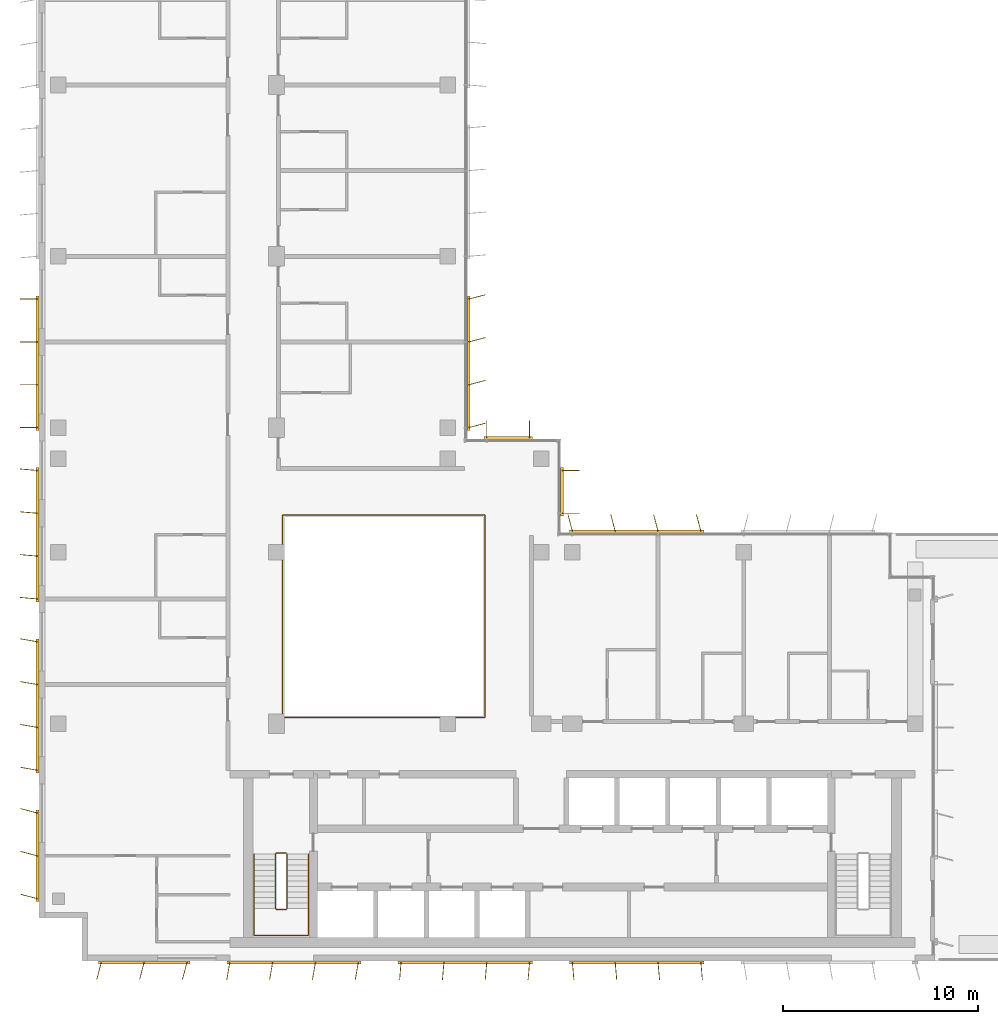
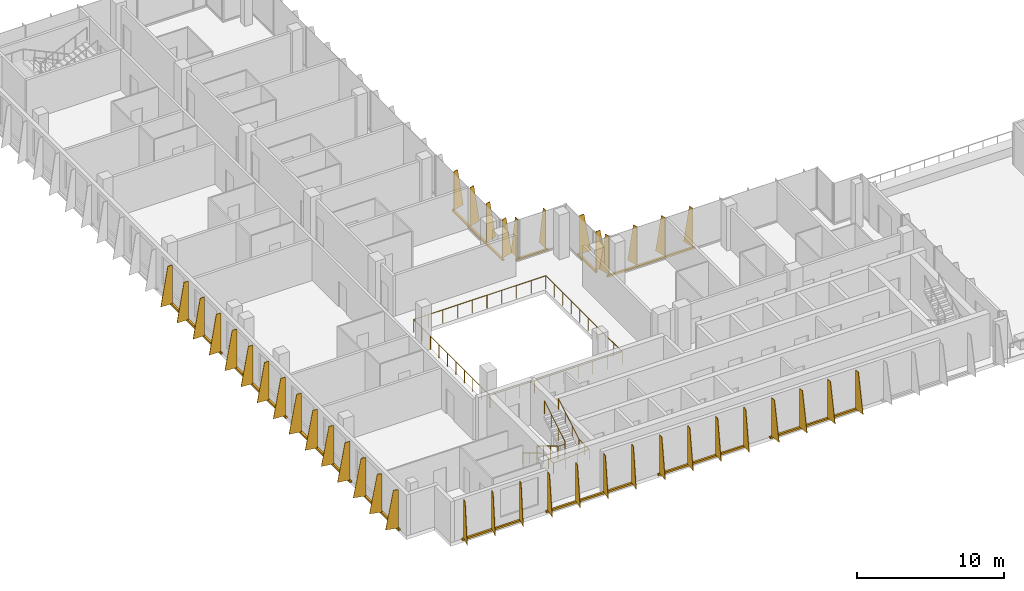
# One storey, part 15 of 17: 12 shading devices, 3 railings.
"""IFC4 building model written with IfcOpenShell, lengths in metres."""

from ifc_helpers import new_model, si_unit, direction, frame, origin, origin_2d, place, context, subcontext, project, spatial, polyline, rectangle, circle, outline, extrude, source, transform, mapped, material, layer, layer_set, type_object, element, save


model = new_model("IFC4")

# Units and contexts
model_context = context("Model", 3, precision=1e-05, world=origin(), true_north=direction((0.0, 1.0)))
body_context = subcontext(model_context, "Body", "Model", "MODEL_VIEW")
ifc_project = project(units=[si_unit("LENGTHUNIT", "METRE"), si_unit("AREAUNIT", "SQUARE_METRE"), si_unit("VOLUMEUNIT", "CUBIC_METRE"), si_unit("PLANEANGLEUNIT", "RADIAN"), si_unit("MASSUNIT", "GRAM", prefix="KILO")], contexts=[model_context])

# Site, building, storey
site_placement = place(None, origin())
site = spatial("IfcSite", under=ifc_project, at=site_placement, CompositionType="ELEMENT")
building_placement = place(site_placement, origin())
building = spatial("IfcBuilding", under=site, at=building_placement, Name="Kemantara Hotel Tower", CompositionType="ELEMENT")
storey_placement = place(building_placement, frame((0.0, 0.0, 222.800048828125)))
storey = spatial("IfcBuildingStorey", under=building, at=storey_placement, Name="L55", CompositionType="ELEMENT", Elevation=222.800048828125)

# Railings
ifc_material_1 = material(Name="Stainless steel and laminated glass balustrade", Category="steel")
railing_type_1 = type_object("IfcRailingType", Name="ATRIUM GUARD 1100", PredefinedType="GUARDRAIL", material=ifc_material_1)
railing_1_placement = place(storey_placement, frame((12.56005859375, 12.5, 0.0)))
element("IfcRailing", 1, at=railing_1_placement, inside=storey, type_object=railing_type_1, Name="ATRIUM GUARD L55", PredefinedType="GUARDRAIL", context=body_context, shape_type="SweptSolid", body=[
    extrude(circle(Radius=0.02490234375, at=origin_2d()), frame((0.0, 0.0, 1.0751953125), z_axis=(1.0, 0.0, 0.0), x_axis=(0.0, 1.0, 0.0)), (0.0, 0.0, 1.0), 10.33984375),
    extrude(circle(Radius=0.02490234375, at=origin_2d()), frame((10.33984375, 0.0, 1.0751953125), z_axis=(0.0, 1.0, 0.0), x_axis=(-1.0, 0.0, 0.0)), (0.0, 0.0, 1.0), 10.39990234375),
    extrude(circle(Radius=0.02490234375, at=origin_2d()), frame((10.33984375, 10.39990234375, 1.0751953125), z_axis=(-1.0, 0.0, 0.0), x_axis=(0.0, -1.0, 0.0)), (0.0, 0.0, 1.0), 10.39990234375),
    extrude(circle(Radius=0.02490234375, at=origin_2d()), frame((-0.06005859375, 10.39990234375, 1.0751953125), z_axis=(0.0, -1.0, 0.0), x_axis=(1.0, 0.0, 0.0)), (0.0, 0.0, 1.0), 10.39990234375),
    extrude(circle(Radius=0.02001953125, at=origin_2d()), origin(), (0.0, 0.0, 1.0), 1.050048828125),
    extrude(circle(Radius=0.02001953125, at=origin_2d()), frame((1.14892578125, 0.0, 0.0)), (0.0, 0.0, 1.0), 1.050048828125),
    extrude(circle(Radius=0.02001953125, at=origin_2d()), frame((2.2978515625, 0.0, 0.0)), (0.0, 0.0, 1.0), 1.050048828125),
    extrude(circle(Radius=0.02001953125, at=origin_2d()), frame((3.446533203125, 0.0, 0.0)), (0.0, 0.0, 1.0), 1.050048828125),
    extrude(circle(Radius=0.02001953125, at=origin_2d()), frame((4.595458984375, 0.0, 0.0)), (0.0, 0.0, 1.0), 1.050048828125),
    extrude(circle(Radius=0.02001953125, at=origin_2d()), frame((5.744384765625, 0.0, 0.0)), (0.0, 0.0, 1.0), 1.050048828125),
    extrude(circle(Radius=0.02001953125, at=origin_2d()), frame((6.893310546875, 0.0, 0.0)), (0.0, 0.0, 1.0), 1.050048828125),
    extrude(circle(Radius=0.02001953125, at=origin_2d()), frame((8.0419921875, 0.0, 0.0)), (0.0, 0.0, 1.0), 1.050048828125),
    extrude(circle(Radius=0.02001953125, at=origin_2d()), frame((9.19091796875, 0.0, 0.0)), (0.0, 0.0, 1.0), 1.050048828125),
    extrude(circle(Radius=0.02001953125, at=origin_2d()), frame((10.33984375, 0.0, 0.0)), (0.0, 0.0, 1.0), 1.050048828125),
    extrude(circle(Radius=0.02001953125, at=origin_2d()), frame((10.33984375, 1.155517578125, 0.0)), (0.0, 0.0, 1.0), 1.050048828125),
    extrude(circle(Radius=0.02001953125, at=origin_2d()), frame((10.33984375, 2.31103515625, 0.0)), (0.0, 0.0, 1.0), 1.050048828125),
    extrude(circle(Radius=0.02001953125, at=origin_2d()), frame((10.33984375, 3.466552734375, 0.0)), (0.0, 0.0, 1.0), 1.050048828125),
    extrude(circle(Radius=0.02001953125, at=origin_2d()), frame((10.33984375, 4.6220703125, 0.0)), (0.0, 0.0, 1.0), 1.050048828125),
    extrude(circle(Radius=0.02001953125, at=origin_2d()), frame((10.33984375, 5.77783203125, 0.0)), (0.0, 0.0, 1.0), 1.050048828125),
    extrude(circle(Radius=0.02001953125, at=origin_2d()), frame((10.33984375, 6.933349609375, 0.0)), (0.0, 0.0, 1.0), 1.050048828125),
    extrude(circle(Radius=0.02001953125, at=origin_2d()), frame((10.33984375, 8.0888671875, 0.0)), (0.0, 0.0, 1.0), 1.050048828125),
    extrude(circle(Radius=0.02001953125, at=origin_2d()), frame((10.33984375, 9.244384765625, 0.0)), (0.0, 0.0, 1.0), 1.050048828125),
    extrude(circle(Radius=0.02001953125, at=origin_2d()), frame((10.33984375, 10.39990234375, 0.0)), (0.0, 0.0, 1.0), 1.050048828125),
    extrude(circle(Radius=0.02001953125, at=origin_2d()), frame((9.184326171875, 10.39990234375, 0.0)), (0.0, 0.0, 1.0), 1.050048828125),
    extrude(circle(Radius=0.02001953125, at=origin_2d()), frame((8.02880859375, 10.39990234375, 0.0)), (0.0, 0.0, 1.0), 1.050048828125),
    extrude(circle(Radius=0.02001953125, at=origin_2d()), frame((6.873291015625, 10.39990234375, 0.0)), (0.0, 0.0, 1.0), 1.050048828125),
    extrude(circle(Radius=0.02001953125, at=origin_2d()), frame((5.7177734375, 10.39990234375, 0.0)), (0.0, 0.0, 1.0), 1.050048828125),
    extrude(circle(Radius=0.02001953125, at=origin_2d()), frame((4.56201171875, 10.39990234375, 0.0)), (0.0, 0.0, 1.0), 1.050048828125),
    extrude(circle(Radius=0.02001953125, at=origin_2d()), frame((3.406494140625, 10.39990234375, 0.0)), (0.0, 0.0, 1.0), 1.050048828125),
    extrude(circle(Radius=0.02001953125, at=origin_2d()), frame((2.2509765625, 10.39990234375, 0.0)), (0.0, 0.0, 1.0), 1.050048828125),
    extrude(circle(Radius=0.02001953125, at=origin_2d()), frame((1.095458984375, 10.39990234375, 0.0)), (0.0, 0.0, 1.0), 1.050048828125),
    extrude(circle(Radius=0.02001953125, at=origin_2d()), frame((-0.06005859375, 10.39990234375, 0.0)), (0.0, 0.0, 1.0), 1.050048828125),
    extrude(circle(Radius=0.02001953125, at=origin_2d()), frame((-0.06005859375, 9.244384765625, 0.0)), (0.0, 0.0, 1.0), 1.050048828125),
    extrude(circle(Radius=0.02001953125, at=origin_2d()), frame((-0.06005859375, 8.0888671875, 0.0)), (0.0, 0.0, 1.0), 1.050048828125),
    extrude(circle(Radius=0.02001953125, at=origin_2d()), frame((-0.06005859375, 6.933349609375, 0.0)), (0.0, 0.0, 1.0), 1.050048828125),
    extrude(circle(Radius=0.02001953125, at=origin_2d()), frame((-0.06005859375, 5.77783203125, 0.0)), (0.0, 0.0, 1.0), 1.050048828125),
    extrude(circle(Radius=0.02001953125, at=origin_2d()), frame((-0.06005859375, 4.6220703125, 0.0)), (0.0, 0.0, 1.0), 1.050048828125),
    extrude(circle(Radius=0.02001953125, at=origin_2d()), frame((-0.06005859375, 3.466552734375, 0.0)), (0.0, 0.0, 1.0), 1.050048828125),
    extrude(circle(Radius=0.02001953125, at=origin_2d()), frame((-0.06005859375, 2.31103515625, 0.0)), (0.0, 0.0, 1.0), 1.050048828125),
    extrude(circle(Radius=0.02001953125, at=origin_2d()), frame((-0.06005859375, 1.155517578125, 0.0)), (0.0, 0.0, 1.0), 1.050048828125),
    extrude(circle(Radius=0.02001953125, at=origin_2d()), frame((-0.06005859375, 0.0, 0.0)), (0.0, 0.0, 1.0), 1.050048828125),
])
ifc_material_2 = material(Name="Stainless steel balustrade", Category="steel")
railing_type_2 = type_object("IfcRailingType", Name="Stair guard 1100 mm", PredefinedType="GUARDRAIL", material=ifc_material_2)
railing_2_placement = place(storey_placement, frame((12.75, 5.5, 3.699951171875)))
element("IfcRailing", 2, at=railing_2_placement, inside=storey, type_object=railing_type_2, Name="L55 ST1 stair guard 1", PredefinedType="GUARDRAIL", context=body_context, shape_type="SweptSolid", body=[
    extrude(circle(Radius=0.02392578125, at=origin_2d()), frame((0.0, 0.0, 1.076171875), z_axis=(0.0, -0.857242210791, -0.514913383045), x_axis=(1.0, 0.0, 0.0)), (0.0, 0.0, 1.0), 3.266357421875),
    extrude(circle(Radius=0.02392578125, at=origin_2d()), frame((0.0, -2.800048828125, -0.60595703125), z_axis=(-0.274243871929, -0.274243871929, -0.92172696468), x_axis=(0.707106781187, -0.707106781187, 0.0)), (0.0, 0.0, 1.0), 0.1826171875),
    extrude(circle(Radius=0.02392578125, at=origin_2d()), frame((-0.050048828125, -2.85009765625, -0.77392578125), z_axis=(-1.0, 0.0, 0.0), x_axis=(0.0, -1.0, 0.0)), (0.0, 0.0, 1.0), 0.5),
    extrude(circle(Radius=0.02392578125, at=origin_2d()), frame((-0.550048828125, -2.85009765625, -0.77392578125), z_axis=(-0.707106781187, 0.707106781187, 0.0), x_axis=(-0.707106781187, -0.707106781187, 0.0)), (0.0, 0.0, 1.0), 0.07080078125),
    extrude(circle(Radius=0.02392578125, at=origin_2d()), frame((-0.60009765625, -2.800048828125, -0.77392578125), z_axis=(0.0, 0.857275202839, -0.514858452973), x_axis=(-1.0, 0.0, 0.0)), (0.0, 0.0, 1.0), 3.26611328125),
    extrude(circle(Radius=0.02392578125, at=origin_2d()), frame((-0.60009765625, 0.0, -2.45556640625), z_axis=(0.274243871929, 0.274243871929, -0.92172696468), x_axis=(-0.707106781187, 0.707106781187, 0.0)), (0.0, 0.0, 1.0), 0.1826171875),
    extrude(circle(Radius=0.02392578125, at=origin_2d()), frame((-0.550048828125, 0.050048828125, -2.6240234375), z_axis=(1.0, 0.0, 0.0), x_axis=(0.0, 1.0, 0.0)), (0.0, 0.0, 1.0), 0.5),
    extrude(circle(Radius=0.02099609375, at=origin_2d()), origin(), (0.0, 0.0, 1.0), 1.052001953125),
    extrude(circle(Radius=0.02099609375, at=origin_2d()), frame((0.0, -0.933349609375, -0.560546875)), (0.0, 0.0, 1.0), 1.052001953125),
    extrude(circle(Radius=0.02099609375, at=origin_2d()), frame((0.0, -1.86669921875, -1.121337890625)), (0.0, 0.0, 1.0), 1.052001953125),
    extrude(circle(Radius=0.02099609375, at=origin_2d()), frame((0.0, -2.800048828125, -1.681884765625)), (0.0, 0.0, 1.0), 1.052001953125),
    extrude(circle(Radius=0.02099609375, at=origin_2d()), frame((-0.050048828125, -2.85009765625, -1.85009765625)), (0.0, 0.0, 1.0), 1.052001953125),
    extrude(circle(Radius=0.02099609375, at=origin_2d()), frame((-0.550048828125, -2.85009765625, -1.85009765625)), (0.0, 0.0, 1.0), 1.052001953125),
    extrude(circle(Radius=0.02099609375, at=origin_2d()), frame((-0.60009765625, -2.800048828125, -1.85009765625)), (0.0, 0.0, 1.0), 1.052001953125),
    extrude(circle(Radius=0.02099609375, at=origin_2d()), frame((-0.60009765625, -1.86669921875, -2.41064453125)), (0.0, 0.0, 1.0), 1.052001953125),
    extrude(circle(Radius=0.02099609375, at=origin_2d()), frame((-0.60009765625, -0.933349609375, -2.97119140625)), (0.0, 0.0, 1.0), 1.052001953125),
    extrude(circle(Radius=0.02099609375, at=origin_2d()), frame((-0.60009765625, 0.0, -3.53173828125)), (0.0, 0.0, 1.0), 1.052001953125),
    extrude(circle(Radius=0.02099609375, at=origin_2d()), frame((-0.550048828125, 0.050048828125, -3.699951171875)), (0.0, 0.0, 1.0), 1.052001953125),
    extrude(circle(Radius=0.02099609375, at=origin_2d()), frame((-0.050048828125, 0.050048828125, -3.699951171875)), (0.0, 0.0, 1.0), 1.052001953125),
])
railing_type_3 = type_object("IfcRailingType", Name="Stair handrail 900 mm", PredefinedType="HANDRAIL", material=ifc_material_2)
railing_3_placement = place(storey_placement, frame((11.050048828125, 5.5, 0.168212890625)))
element("IfcRailing", 3, at=railing_3_placement, inside=storey, type_object=railing_type_3, Name="L55 ST1 stair handrail 1", PredefinedType="HANDRAIL", context=body_context, shape_type="SweptSolid", body=[
    extrude(circle(Radius=0.02392578125, at=origin_2d()), frame((0.0, 0.0, 0.8759765625), z_axis=(0.0, -0.857275202839, 0.514858452973), x_axis=(1.0, 0.0, 0.0)), (0.0, 0.0, 1.0), 3.26611328125),
    extrude(circle(Radius=0.02392578125, at=origin_2d()), frame((0.0, -2.800048828125, 2.5576171875), z_axis=(0.0, -1.0, 0.0), x_axis=(1.0, 0.0, 0.0)), (0.0, 0.0, 1.0), 1.3798828125),
    extrude(circle(Radius=0.02392578125, at=origin_2d()), frame((0.0, -4.179931640625, 2.5576171875), z_axis=(0.998200367801, 0.0, 0.059966871865), x_axis=(0.0, 1.0, 0.0)), (0.0, 0.0, 1.0), 2.80517578125),
    extrude(circle(Radius=0.02392578125, at=origin_2d()), frame((2.800048828125, -4.179931640625, 2.7255859375), z_axis=(0.0, 1.0, 0.0), x_axis=(-1.0, 0.0, 0.0)), (0.0, 0.0, 1.0), 1.3798828125),
    extrude(circle(Radius=0.02392578125, at=origin_2d()), frame((2.800048828125, -2.800048828125, 2.7255859375), z_axis=(0.0, 0.857242210791, 0.514913383045), x_axis=(-1.0, 0.0, 0.0)), (0.0, 0.0, 1.0), 3.266357421875),
    extrude(circle(Radius=0.02099609375, at=origin_2d()), origin(), (0.0, 0.0, 1.0), 0.851806640625),
    extrude(circle(Radius=0.02099609375, at=origin_2d()), frame((0.0, -0.933349609375, 0.560546875)), (0.0, 0.0, 1.0), 0.851806640625),
    extrude(circle(Radius=0.02099609375, at=origin_2d()), frame((0.0, -1.86669921875, 1.12109375)), (0.0, 0.0, 1.0), 0.851806640625),
    extrude(circle(Radius=0.02099609375, at=origin_2d()), frame((0.0, -2.800048828125, 1.681640625)), (0.0, 0.0, 1.0), 0.851806640625),
    extrude(circle(Radius=0.02099609375, at=origin_2d()), frame((0.0, -3.489990234375, 1.681640625)), (0.0, 0.0, 1.0), 0.851806640625),
    extrude(circle(Radius=0.02099609375, at=origin_2d()), frame((0.0, -4.179931640625, 1.681640625)), (0.0, 0.0, 1.0), 0.851806640625),
    extrude(circle(Radius=0.02099609375, at=origin_2d()), frame((0.933349609375, -4.179931640625, 1.73779296875)), (0.0, 0.0, 1.0), 0.851806640625),
    extrude(circle(Radius=0.02099609375, at=origin_2d()), frame((1.86669921875, -4.179931640625, 1.793701171875)), (0.0, 0.0, 1.0), 0.851806640625),
    extrude(circle(Radius=0.02099609375, at=origin_2d()), frame((2.800048828125, -4.179931640625, 1.849853515625)), (0.0, 0.0, 1.0), 0.851806640625),
    extrude(circle(Radius=0.02099609375, at=origin_2d()), frame((2.800048828125, -3.489990234375, 1.849853515625)), (0.0, 0.0, 1.0), 0.851806640625),
    extrude(circle(Radius=0.02099609375, at=origin_2d()), frame((2.800048828125, -2.800048828125, 1.849853515625)), (0.0, 0.0, 1.0), 0.851806640625),
    extrude(circle(Radius=0.02099609375, at=origin_2d()), frame((2.800048828125, -1.86669921875, 2.410400390625)), (0.0, 0.0, 1.0), 0.851806640625),
    extrude(circle(Radius=0.02099609375, at=origin_2d()), frame((2.800048828125, -0.933349609375, 2.97119140625)), (0.0, 0.0, 1.0), 0.851806640625),
    extrude(circle(Radius=0.02099609375, at=origin_2d()), frame((2.800048828125, 0.0, 3.53173828125)), (0.0, 0.0, 1.0), 0.851806640625),
])

# Shading devices
ifc_material_3 = material(Name="Perforated aluminium plate 4 mm bronze anodised", Category="aluminium")
ifc_layer_1 = layer(ifc_material_3, 0.0400390625)
ifc_layer_set_1 = layer_set([ifc_layer_1], Name="Perforated aluminium plate 4 mm bronze anodised")
shading_device_type_1 = type_object("IfcShadingDeviceType", Name="SCREEN FIN CASSETTE, 3 BLADES AT -15.0 DEG, 3200 HIGH", PredefinedType="USERDEFINED", material=ifc_layer_set_1)
shared_shape_1 = source(origin(), body_context, "Body", "SweptSolid", [
    extrude(rectangle(XDim=4.699951171875, YDim=0.14990234375, at=origin_2d()), frame((2.199951171875, -0.074951171875, -0.14990234375), z_axis=(0.0, 0.0, 1.0), x_axis=(1.0, 0.0, 0.0)), (0.0, 0.0, 1.0), 0.14990234375),
    extrude(outline(polyline([(0.0, 0.0), (0.89990234375, 0.0), (0.35009765625, 3.199951171875), (0.0, 3.199951171875), (0.0, 0.0)])), frame((0.019287109375, -0.080078125, 0.0), z_axis=(-0.966437683387, 0.256901156343, 0.0), x_axis=(-0.256901156343, -0.966437683387, 0.0)), (0.0, 0.0, 1.0), 0.039794921875),
    extrude(outline(polyline([(0.0, 0.0), (0.89990234375, 0.0), (0.35009765625, 3.199951171875), (0.0, 3.199951171875), (0.0, 0.0)])), frame((2.21923828125, -0.080078125, 0.0), z_axis=(-0.966437683387, 0.256901156343, 0.0), x_axis=(-0.256901156343, -0.966437683387, 0.0)), (0.0, 0.0, 1.0), 0.039794921875),
    extrude(outline(polyline([(0.0, 0.0), (0.89990234375, 0.0), (0.35009765625, 3.199951171875), (0.0, 3.199951171875), (0.0, 0.0)])), frame((4.41943359375, -0.080078125, 0.0), z_axis=(-0.966837822169, 0.255391122837, 0.0), x_axis=(-0.255391122837, -0.966837822169, 0.0)), (0.0, 0.0, 1.0), 0.0400390625),
])
for number, where, z_axis, x_axis, name in (
    (4, (0.0, 7.60009765625, 0.099853515625), (0.0, 0.0, 1.0), (0.0, -1.0, 0.0), "SCREEN FIN CASSETTE L55 T4-R05-7"),
    (5, (3.199951171875, 0.0, 0.099853515625), (0.0, 0.0, 1.0), (1.0, 0.0, 0.0), "SCREEN FIN CASSETTE L55 T4-R08-1"),
):
    element("IfcShadingDevice", number, at=place(storey_placement, frame(where, z_axis=z_axis, x_axis=x_axis)), inside=storey, type_object=shading_device_type_1, Name=name, ObjectType="SCREEN FIN", PredefinedType="USERDEFINED", context=body_context, shape_type="MappedRepresentation", body=[
        mapped(shared_shape_1, transform((0.0, 0.0, 0.0))),
    ])
ifc_layer_2 = layer(ifc_material_3, 0.0400390625)
ifc_layer_set_2 = layer_set([ifc_layer_2], Name="Perforated aluminium plate 4 mm bronze anodised")
shading_device_type_2 = type_object("IfcShadingDeviceType", Name="SCREEN FIN CASSETTE, 4 BLADES AT -10.0 DEG, 3200 HIGH", PredefinedType="USERDEFINED", material=ifc_layer_set_2)
shared_shape_2 = source(origin(), body_context, "Body", "SweptSolid", [
    extrude(rectangle(XDim=6.89990234375, YDim=0.14990234375, at=origin_2d()), frame((3.300048828125, -0.074951171875, -0.14990234375), z_axis=(0.0, 0.0, 1.0), x_axis=(1.0, 0.0, 0.0)), (0.0, 0.0, 1.0), 0.14990234375),
    extrude(outline(polyline([(0.0, 0.0), (0.89990234375, 0.0), (0.35009765625, 3.199951171875), (0.0, 3.199951171875), (0.0, 0.0)])), frame((0.019775390625, -0.078369140625, 0.0), z_axis=(-0.985389793052, 0.170314285219, 0.0), x_axis=(-0.170314285219, -0.985389793052, 0.0)), (0.0, 0.0, 1.0), 0.0400390625),
    extrude(outline(polyline([(0.0, 0.0), (0.89990234375, 0.0), (0.35009765625, 3.199951171875), (0.0, 3.199951171875), (0.0, 0.0)])), frame((2.2197265625, -0.078369140625, 0.0), z_axis=(-0.98521175482, 0.171341174751, 0.0), x_axis=(-0.171341174751, -0.98521175482, 0.0)), (0.0, 0.0, 1.0), 0.039794921875),
    extrude(outline(polyline([(0.0, 0.0), (0.89990234375, 0.0), (0.35009765625, 3.199951171875), (0.0, 3.199951171875), (0.0, 0.0)])), frame((4.419677734375, -0.078369140625, 0.0), z_axis=(-0.98521175482, 0.171341174751, 0.0), x_axis=(-0.171341174751, -0.98521175482, 0.0)), (0.0, 0.0, 1.0), 0.039794921875),
    extrude(outline(polyline([(0.0, 0.0), (0.89990234375, 0.0), (0.35009765625, 3.199951171875), (0.0, 3.199951171875), (0.0, 0.0)])), frame((6.61962890625, -0.078369140625, 0.0), z_axis=(-0.98521175482, 0.171341174751, 0.0), x_axis=(-0.171341174751, -0.98521175482, 0.0)), (0.0, 0.0, 1.0), 0.039794921875),
])
for number, where, z_axis, x_axis, name in (
    (6, (0.0, 16.39990234375, 0.099853515625), (0.0, 0.0, 1.0), (0.0, -1.0, 0.0), "SCREEN FIN CASSETTE L55 T4-R05-6"),
    (7, (9.800048828125, 0.0, 0.099853515625), (0.0, 0.0, 1.0), (1.0, 0.0, 0.0), "SCREEN FIN CASSETTE L55 T4-R08-2"),
):
    element("IfcShadingDevice", number, at=place(storey_placement, frame(where, z_axis=z_axis, x_axis=x_axis)), inside=storey, type_object=shading_device_type_2, Name=name, ObjectType="SCREEN FIN", PredefinedType="USERDEFINED", context=body_context, shape_type="MappedRepresentation", body=[
        mapped(shared_shape_2, transform((0.0, 0.0, 0.0))),
    ])
ifc_layer_3 = layer(ifc_material_3, 0.0400390625)
ifc_layer_set_3 = layer_set([ifc_layer_3], Name="Perforated aluminium plate 4 mm bronze anodised")
shading_device_type_3 = type_object("IfcShadingDeviceType", Name="SCREEN FIN CASSETTE, 4 BLADES AT -5.0 DEG, 3200 HIGH", PredefinedType="USERDEFINED", material=ifc_layer_set_3)
shared_shape_3 = source(origin(), body_context, "Body", "SweptSolid", [
    extrude(rectangle(XDim=6.89990234375, YDim=0.14990234375, at=origin_2d()), frame((3.300048828125, -0.074951171875, -0.14990234375), z_axis=(0.0, 0.0, 1.0), x_axis=(1.0, 0.0, 0.0)), (0.0, 0.0, 1.0), 0.14990234375),
    extrude(outline(polyline([(0.0, 0.0), (0.89990234375, 0.0), (0.35009765625, 3.199951171875), (0.0, 3.199951171875), (0.0, 0.0)])), frame((0.02001953125, -0.07666015625, 0.0), z_axis=(-0.996376129781, 0.085056498884, 0.0), x_axis=(-0.085056498884, -0.996376129781, 0.0)), (0.0, 0.0, 1.0), 0.040283203125),
    extrude(outline(polyline([(0.0, 0.0), (0.89990234375, 0.0), (0.35009765625, 3.199951171875), (0.0, 3.199951171875), (0.0, 0.0)])), frame((2.219970703125, -0.07666015625, 0.0), z_axis=(-0.996331773833, 0.085574508182, 0.0), x_axis=(-0.085574508182, -0.996331773833, 0.0)), (0.0, 0.0, 1.0), 0.0400390625),
    extrude(outline(polyline([(0.0, 0.0), (0.89990234375, 0.0), (0.35009765625, 3.199951171875), (0.0, 3.199951171875), (0.0, 0.0)])), frame((4.419921875, -0.07666015625, 0.0), z_axis=(-0.996331773833, 0.085574508182, 0.0), x_axis=(-0.085574508182, -0.996331773833, 0.0)), (0.0, 0.0, 1.0), 0.0400390625),
    extrude(outline(polyline([(0.0, 0.0), (0.89990234375, 0.0), (0.35009765625, 3.199951171875), (0.0, 3.199951171875), (0.0, 0.0)])), frame((6.619873046875, -0.07666015625, 0.0), z_axis=(-0.996331773833, 0.085574508182, 0.0), x_axis=(-0.085574508182, -0.996331773833, 0.0)), (0.0, 0.0, 1.0), 0.0400390625),
])
for number, where, z_axis, x_axis, name in (
    (8, (0.0, 25.199951171875, 0.099853515625), (0.0, 0.0, 1.0), (0.0, -1.0, 0.0), "SCREEN FIN CASSETTE L55 T4-R05-5"),
    (9, (18.60009765625, 0.0, 0.099853515625), (0.0, 0.0, 1.0), (1.0, 0.0, 0.0), "SCREEN FIN CASSETTE L55 T4-R08-3"),
):
    element("IfcShadingDevice", number, at=place(storey_placement, frame(where, z_axis=z_axis, x_axis=x_axis)), inside=storey, type_object=shading_device_type_3, Name=name, ObjectType="SCREEN FIN", PredefinedType="USERDEFINED", context=body_context, shape_type="MappedRepresentation", body=[
        mapped(shared_shape_3, transform((0.0, 0.0, 0.0))),
    ])
ifc_layer_4 = layer(ifc_material_3, 0.0400390625)
ifc_layer_set_4 = layer_set([ifc_layer_4], Name="Perforated aluminium plate 4 mm bronze anodised")
shading_device_type_4 = type_object("IfcShadingDeviceType", Name="SCREEN FIN CASSETTE, 4 BLADES AT +0.0 DEG, 3200 HIGH", PredefinedType="USERDEFINED", material=ifc_layer_set_4)
shared_shape_4 = source(origin(), body_context, "Body", "SweptSolid", [
    extrude(rectangle(XDim=6.89990234375, YDim=0.14990234375, at=origin_2d()), frame((3.300048828125, -0.074951171875, -0.14990234375), z_axis=(0.0, 0.0, 1.0), x_axis=(1.0, 0.0, 0.0)), (0.0, 0.0, 1.0), 0.14990234375),
    extrude(outline(polyline([(0.0, 0.0), (0.89990234375, 0.0), (0.35009765625, 3.199951171875), (0.0, 3.199951171875), (0.0, 0.0)])), frame((0.02001953125, -0.074951171875, 0.0), z_axis=(-1.0, 0.0, 0.0), x_axis=(0.0, -1.0, 0.0)), (0.0, 0.0, 1.0), 0.0400390625),
    extrude(outline(polyline([(0.0, 0.0), (0.89990234375, 0.0), (0.35009765625, 3.199951171875), (0.0, 3.199951171875), (0.0, 0.0)])), frame((2.219970703125, -0.074951171875, 0.0), z_axis=(-1.0, 0.0, 0.0), x_axis=(0.0, -1.0, 0.0)), (0.0, 0.0, 1.0), 0.0400390625),
    extrude(outline(polyline([(0.0, 0.0), (0.89990234375, 0.0), (0.35009765625, 3.199951171875), (0.0, 3.199951171875), (0.0, 0.0)])), frame((4.419921875, -0.074951171875, 0.0), z_axis=(-1.0, 0.0, 0.0), x_axis=(0.0, -1.0, 0.0)), (0.0, 0.0, 1.0), 0.0400390625),
    extrude(outline(polyline([(0.0, 0.0), (0.89990234375, 0.0), (0.35009765625, 3.199951171875), (0.0, 3.199951171875), (0.0, 0.0)])), frame((6.6201171875, -0.074951171875, 0.0), z_axis=(-1.0, 0.0, 0.0), x_axis=(0.0, -1.0, 0.0)), (0.0, 0.0, 1.0), 0.0400390625),
])
shading_device_1_placement = place(storey_placement, frame((0.0, 34.0, 0.099853515625), z_axis=(0.0, 0.0, 1.0), x_axis=(0.0, -1.0, 0.0)))
element("IfcShadingDevice", 10, at=shading_device_1_placement, inside=storey, type_object=shading_device_type_4, Name="SCREEN FIN CASSETTE L55 T4-R05-4", ObjectType="SCREEN FIN", PredefinedType="USERDEFINED", context=body_context, shape_type="MappedRepresentation", body=[
    mapped(shared_shape_4, transform((0.0, 0.0, 0.0))),
])
ifc_layer_5 = layer(ifc_material_3, 0.0400390625)
ifc_layer_set_5 = layer_set([ifc_layer_5], Name="Perforated aluminium plate 4 mm bronze anodised")
shading_device_type_5 = type_object("IfcShadingDeviceType", Name="SCREEN FIN CASSETTE, 4 BLADES AT +5.0 DEG, 3200 HIGH", PredefinedType="USERDEFINED", material=ifc_layer_set_5)
shared_shape_5 = source(origin(), body_context, "Body", "SweptSolid", [
    extrude(rectangle(XDim=6.89990234375, YDim=0.14990234375, at=origin_2d()), frame((3.300048828125, -0.074951171875, -0.14990234375), z_axis=(0.0, 0.0, 1.0), x_axis=(1.0, 0.0, 0.0)), (0.0, 0.0, 1.0), 0.14990234375),
    extrude(outline(polyline([(0.0, 0.0), (0.89990234375, 0.0), (0.35009765625, 3.199951171875), (0.0, 3.199951171875), (0.0, 0.0)])), frame((0.02001953125, -0.0732421875, 0.0), z_axis=(-0.996376129781, -0.085056498884, 0.0), x_axis=(0.085056498884, -0.996376129781, 0.0)), (0.0, 0.0, 1.0), 0.040283203125),
    extrude(outline(polyline([(0.0, 0.0), (0.89990234375, 0.0), (0.35009765625, 3.199951171875), (0.0, 3.199951171875), (0.0, 0.0)])), frame((2.219970703125, -0.0732421875, 0.0), z_axis=(-0.996331773833, -0.085574508182, 0.0), x_axis=(0.085574508182, -0.996331773833, 0.0)), (0.0, 0.0, 1.0), 0.0400390625),
    extrude(outline(polyline([(0.0, 0.0), (0.89990234375, 0.0), (0.35009765625, 3.199951171875), (0.0, 3.199951171875), (0.0, 0.0)])), frame((4.419921875, -0.0732421875, 0.0), z_axis=(-0.996331773833, -0.085574508182, 0.0), x_axis=(0.085574508182, -0.996331773833, 0.0)), (0.0, 0.0, 1.0), 0.0400390625),
    extrude(outline(polyline([(0.0, 0.0), (0.89990234375, 0.0), (0.35009765625, 3.199951171875), (0.0, 3.199951171875), (0.0, 0.0)])), frame((6.619873046875, -0.0732421875, 0.0), z_axis=(-0.996331773833, -0.085574508182, 0.0), x_axis=(0.085574508182, -0.996331773833, 0.0)), (0.0, 0.0, 1.0), 0.0400390625),
])
shading_device_2_placement = place(storey_placement, frame((27.39990234375, 0.0, 0.099853515625), z_axis=(0.0, 0.0, 1.0), x_axis=(1.0, 0.0, 0.0)))
element("IfcShadingDevice", 11, at=shading_device_2_placement, inside=storey, type_object=shading_device_type_5, Name="SCREEN FIN CASSETTE L55 T4-R08-4", ObjectType="SCREEN FIN", PredefinedType="USERDEFINED", context=body_context, shape_type="MappedRepresentation", body=[
    mapped(shared_shape_5, transform((0.0, 0.0, 0.0))),
])
ifc_layer_6 = layer(ifc_material_3, 0.0400390625)
ifc_layer_set_6 = layer_set([ifc_layer_6], Name="Perforated aluminium plate 4 mm bronze anodised")
shading_device_type_6 = type_object("IfcShadingDeviceType", Name="SCREEN FIN CASSETTE, 4 BLADES AT +15.0 DEG, 3200 HIGH", PredefinedType="USERDEFINED", material=ifc_layer_set_6)
shared_shape_6 = source(origin(), body_context, "Body", "SweptSolid", [
    extrude(rectangle(XDim=6.89990234375, YDim=0.14990234375, at=origin_2d()), frame((3.300048828125, -0.074951171875, -0.14990234375), z_axis=(0.0, 0.0, 1.0), x_axis=(1.0, 0.0, 0.0)), (0.0, 0.0, 1.0), 0.14990234375),
    extrude(outline(polyline([(0.0, 0.0), (0.89990234375, 0.0), (0.35009765625, 3.199951171875), (0.0, 3.199951171875), (0.0, 0.0)])), frame((0.019287109375, -0.06982421875, 0.0), z_axis=(-0.966437683387, -0.256901156343, 0.0), x_axis=(0.256901156343, -0.966437683387, 0.0)), (0.0, 0.0, 1.0), 0.039794921875),
    extrude(outline(polyline([(0.0, 0.0), (0.89990234375, 0.0), (0.35009765625, 3.199951171875), (0.0, 3.199951171875), (0.0, 0.0)])), frame((2.21923828125, -0.06982421875, 0.0), z_axis=(-0.966437683387, -0.256901156343, 0.0), x_axis=(0.256901156343, -0.966437683387, 0.0)), (0.0, 0.0, 1.0), 0.039794921875),
    extrude(outline(polyline([(0.0, 0.0), (0.89990234375, 0.0), (0.35009765625, 3.199951171875), (0.0, 3.199951171875), (0.0, 0.0)])), frame((4.41943359375, -0.06982421875, 0.0), z_axis=(-0.966837822169, -0.255391122837, 0.0), x_axis=(0.255391122837, -0.966837822169, 0.0)), (0.0, 0.0, 1.0), 0.0400390625),
    extrude(outline(polyline([(0.0, 0.0), (0.89990234375, 0.0), (0.35009765625, 3.199951171875), (0.0, 3.199951171875), (0.0, 0.0)])), frame((6.619384765625, -0.06982421875, 0.0), z_axis=(-0.966837822169, -0.255391122837, 0.0), x_axis=(0.255391122837, -0.966837822169, 0.0)), (0.0, 0.0, 1.0), 0.0400390625),
])
for number, where, z_axis, x_axis, name in (
    (12, (34.0, 22.0, 0.099853515625), (0.0, 0.0, 1.0), (-1.0, 0.0, 0.0), "SCREEN FIN CASSETTE L55 T4-R12-2"),
    (13, (22.0, 27.39990234375, 0.099853515625), (0.0, 0.0, 1.0), (0.0, 1.0, 0.0), "SCREEN FIN CASSETTE L55 T4-R15-1"),
):
    element("IfcShadingDevice", number, at=place(storey_placement, frame(where, z_axis=z_axis, x_axis=x_axis)), inside=storey, type_object=shading_device_type_6, Name=name, ObjectType="SCREEN FIN", PredefinedType="USERDEFINED", context=body_context, shape_type="MappedRepresentation", body=[
        mapped(shared_shape_6, transform((0.0, 0.0, 0.0))),
    ])
ifc_layer_7 = layer(ifc_material_3, 0.0400390625)
ifc_layer_set_7 = layer_set([ifc_layer_7], Name="Perforated aluminium plate 4 mm bronze anodised")
shading_device_type_7 = type_object("IfcShadingDeviceType", Name="SCREEN FIN CASSETTE, 2 BLADES AT +0.0 DEG, 3200 HIGH", PredefinedType="USERDEFINED", material=ifc_layer_set_7)
shared_shape_7 = source(origin(), body_context, "Body", "SweptSolid", [
    extrude(rectangle(XDim=2.5, YDim=0.14990234375, at=origin_2d()), frame((1.10009765625, -0.074951171875, -0.14990234375), z_axis=(0.0, 0.0, 1.0), x_axis=(1.0, 0.0, 0.0)), (0.0, 0.0, 1.0), 0.14990234375),
    extrude(outline(polyline([(0.0, 0.0), (0.89990234375, 0.0), (0.35009765625, 3.199951171875), (0.0, 3.199951171875), (0.0, 0.0)])), frame((0.02001953125, -0.074951171875, 0.0), z_axis=(-1.0, 0.0, 0.0), x_axis=(0.0, -1.0, 0.0)), (0.0, 0.0, 1.0), 0.0400390625),
    extrude(outline(polyline([(0.0, 0.0), (0.89990234375, 0.0), (0.35009765625, 3.199951171875), (0.0, 3.199951171875), (0.0, 0.0)])), frame((2.219970703125, -0.074951171875, 0.0), z_axis=(-1.0, 0.0, 0.0), x_axis=(0.0, -1.0, 0.0)), (0.0, 0.0, 1.0), 0.0400390625),
])
for number, where, z_axis, x_axis, name in (
    (14, (26.800048828125, 23.0, 0.099853515625), (0.0, 0.0, 1.0), (0.0, 1.0, 0.0), "SCREEN FIN CASSETTE L55 T4-R13-1"),
    (15, (25.199951171875, 26.800048828125, 0.099853515625), (0.0, 0.0, 1.0), (-1.0, 0.0, 0.0), "SCREEN FIN CASSETTE L55 T4-R14-1"),
):
    element("IfcShadingDevice", number, at=place(storey_placement, frame(where, z_axis=z_axis, x_axis=x_axis)), inside=storey, type_object=shading_device_type_7, Name=name, ObjectType="SCREEN FIN", PredefinedType="USERDEFINED", context=body_context, shape_type="MappedRepresentation", body=[
        mapped(shared_shape_7, transform((0.0, 0.0, 0.0))),
    ])

save(model, "model.ifc")
